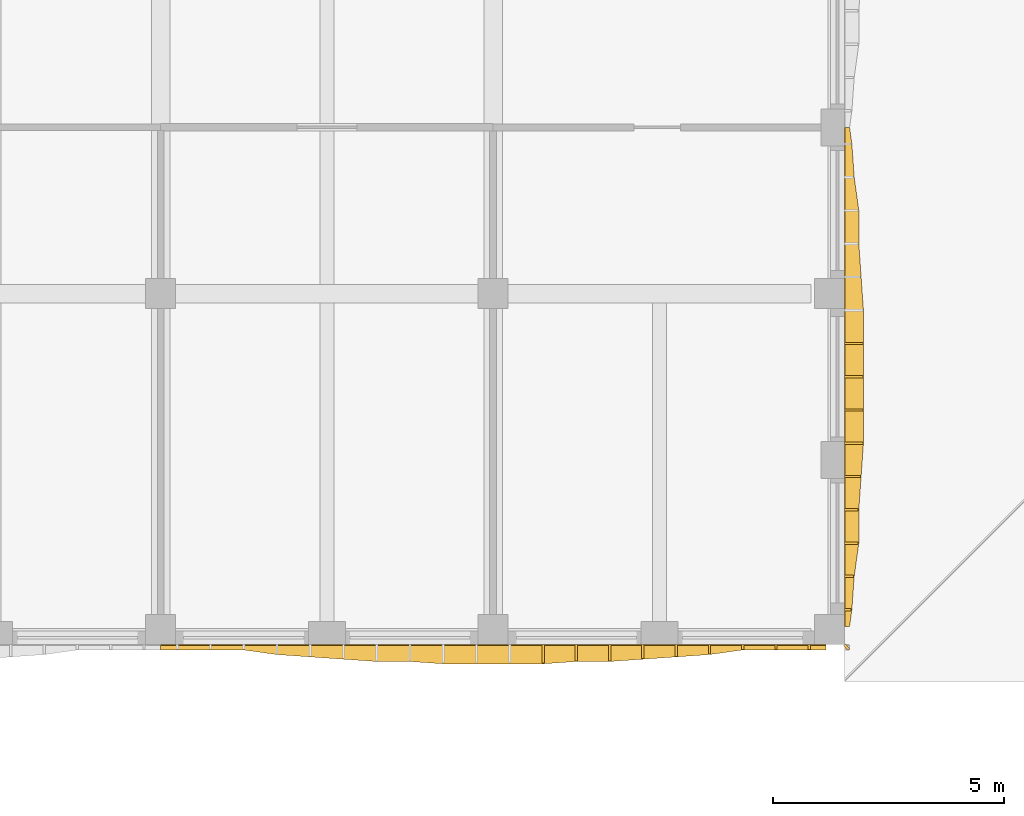
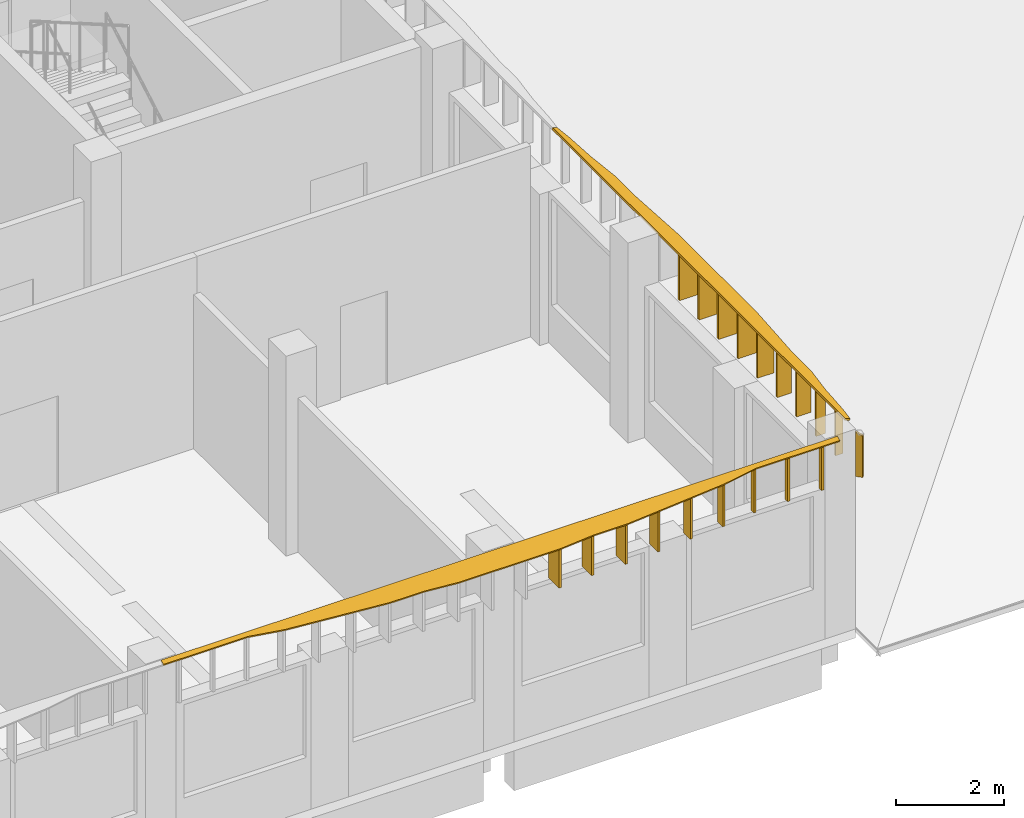
# One storey, part 46 of 54: 21 shading devices.
"""IFC4 building model written with IfcOpenShell, lengths in metres."""

from ifc_helpers import new_model, si_unit, direction, frame, origin, place, context, subcontext, project, spatial, polyline, outline, extrude, material, layer, layer_set, type_object, element, save


model = new_model("IFC4")

# Units and contexts
model_context = context("Model", 3, precision=1e-05, world=origin(), true_north=direction((0.0, 1.0)))
body_context = subcontext(model_context, "Body", "Model", "MODEL_VIEW")
ifc_project = project(units=[si_unit("LENGTHUNIT", "METRE"), si_unit("AREAUNIT", "SQUARE_METRE"), si_unit("VOLUMEUNIT", "CUBIC_METRE"), si_unit("PLANEANGLEUNIT", "RADIAN"), si_unit("MASSUNIT", "GRAM", prefix="KILO")], contexts=[model_context])

# Site, building, storey
site_placement = place(None, origin())
site = spatial("IfcSite", under=ifc_project, at=site_placement, CompositionType="ELEMENT")
building_placement = place(site_placement, origin())
building = spatial("IfcBuilding", under=site, at=building_placement, Name="Ussher Court Research Institute", CompositionType="ELEMENT")
storey_placement = place(building_placement, frame((0.0, 0.0, 14.39990234375)))
storey = spatial("IfcBuildingStorey", under=building, at=storey_placement, Name="L03", CompositionType="ELEMENT", Elevation=14.39990234375)

# Shading devices
ifc_material_1 = material(Name="Bronze anodised aluminium", Category="aluminium")
ifc_layer_1 = layer(ifc_material_1, 0.050048828125)
ifc_layer_set_1 = layer_set([ifc_layer_1], Name="Bronze anodised aluminium")
shading_device_type_1 = type_object("IfcShadingDeviceType", Name="Brim blade 100 mm deep 1000 mm high canted 20 deg dry", PredefinedType="USERDEFINED", material=ifc_layer_set_1)
for number, where, z_axis, x_axis, name in (
    (1, (81.840087890625, 68.39990234375, 3.4501953125), (0.0, 0.0, 1.0), (0.0, -1.0, 0.0), "Brim blade BS17 L03"),
    (2, (81.1201171875, 68.39990234375, 3.4501953125), (0.0, 0.0, 1.0), (0.0, -1.0, 0.0), "Brim blade BS17 L03"),
    (3, (80.39990234375, 68.39990234375, 3.4501953125), (0.0, 0.0, 1.0), (0.0, -1.0, 0.0), "Brim blade BS17 L03"),
):
    element("IfcShadingDevice", number, at=place(storey_placement, frame(where, z_axis=z_axis, x_axis=x_axis)), inside=storey, type_object=shading_device_type_1, Name=name, ObjectType="BLADE", PredefinedType="USERDEFINED", context=body_context, shape_type="SweptSolid", body=[
        extrude(outline(polyline([(0.0, 0.0), (0.099853515625, 0.0), (0.10009765625, 0.963623046875), (0.0, 1.0), (0.0, 0.0)])), frame((0.0, 0.02490234375, 0.0), z_axis=(0.0, -1.0, 0.0), x_axis=(1.0, 0.0, 0.0)), (0.0, 0.0, 1.0), 0.050048828125),
    ])
ifc_material_2 = material(Name="Bronze anodised aluminium", Category="aluminium")
ifc_layer_2 = layer(ifc_material_2, 0.050048828125)
ifc_layer_set_2 = layer_set([ifc_layer_2], Name="Bronze anodised aluminium")
shading_device_type_2 = type_object("IfcShadingDeviceType", Name="Brim blade 150 mm deep 1000 mm high canted 20 deg dry", PredefinedType="USERDEFINED", material=ifc_layer_set_2)
shading_device_1_placement = place(storey_placement, frame((82.60009765625, 69.159912109375, 3.4501953125), z_axis=(0.0, 0.0, 1.0), x_axis=(1.0, 0.0, 0.0)))
element("IfcShadingDevice", 4, at=shading_device_1_placement, inside=storey, type_object=shading_device_type_2, Name="Brim blade BS16 L03", ObjectType="BLADE", PredefinedType="USERDEFINED", context=body_context, shape_type="SweptSolid", body=[
    extrude(outline(polyline([(0.0, 0.0), (0.14990234375, 0.0), (0.14990234375, 0.9453125), (0.0, 1.0), (0.0, 0.0)])), frame((0.0, 0.02490234375, 0.0), z_axis=(0.0, -1.0, 0.0), x_axis=(1.0, 0.0, 0.0)), (0.0, 0.0, 1.0), 0.050048828125),
])
ifc_material_3 = material(Name="Bronze anodised aluminium", Category="aluminium")
ifc_layer_3 = layer(ifc_material_3, 0.050048828125)
ifc_layer_set_3 = layer_set([ifc_layer_3], Name="Bronze anodised aluminium")
shading_device_type_3 = type_object("IfcShadingDeviceType", Name="Brim blade 200 mm deep 1000 mm high canted 20 deg dry", PredefinedType="USERDEFINED", material=ifc_layer_set_3)
for number, where, z_axis, x_axis, name in (
    (5, (82.60009765625, 69.8798828125, 3.4501953125), (0.0, 0.0, 1.0), (1.0, 0.0, 0.0), "Brim blade BS15 L03"),
    (6, (79.679931640625, 68.39990234375, 3.4501953125), (0.0, 0.0, 1.0), (0.0, -1.0, 0.0), "Brim blade BS15 L03"),
):
    element("IfcShadingDevice", number, at=place(storey_placement, frame(where, z_axis=z_axis, x_axis=x_axis)), inside=storey, type_object=shading_device_type_3, Name=name, ObjectType="BLADE", PredefinedType="USERDEFINED", context=body_context, shape_type="SweptSolid", body=[
        extrude(outline(polyline([(0.0, 0.0), (0.199951171875, 0.0), (0.199951171875, 0.927001953125), (0.0, 1.0), (0.0, 0.0)])), frame((0.0, 0.02490234375, 0.0), z_axis=(0.0, -1.0, 0.0), x_axis=(1.0, 0.0, 0.0)), (0.0, 0.0, 1.0), 0.050048828125),
    ])
ifc_material_4 = material(Name="Bronze anodised aluminium", Category="aluminium")
ifc_layer_4 = layer(ifc_material_4, 0.050048828125)
ifc_layer_set_4 = layer_set([ifc_layer_4], Name="Bronze anodised aluminium")
shading_device_type_4 = type_object("IfcShadingDeviceType", Name="Brim blade 250 mm deep 1000 mm high canted 20 deg dry", PredefinedType="USERDEFINED", material=ifc_layer_set_4)
shading_device_2_placement = place(storey_placement, frame((78.9599609375, 68.39990234375, 3.4501953125), z_axis=(0.0, 0.0, 1.0), x_axis=(0.0, -1.0, 0.0)))
element("IfcShadingDevice", 7, at=shading_device_2_placement, inside=storey, type_object=shading_device_type_4, Name="Brim blade BS14 L03", ObjectType="BLADE", PredefinedType="USERDEFINED", context=body_context, shape_type="SweptSolid", body=[
    extrude(outline(polyline([(0.0, 0.0), (0.25, 0.0), (0.25, 0.908935546875), (0.0, 1.0), (0.0, 0.0)])), frame((0.0, 0.02490234375, 0.0), z_axis=(0.0, -1.0, 0.0), x_axis=(1.0, 0.0, 0.0)), (0.0, 0.0, 1.0), 0.050048828125),
])
ifc_material_5 = material(Name="Bronze anodised aluminium", Category="aluminium")
ifc_layer_5 = layer(ifc_material_5, 0.050048828125)
ifc_layer_set_5 = layer_set([ifc_layer_5], Name="Bronze anodised aluminium")
shading_device_type_5 = type_object("IfcShadingDeviceType", Name="Brim blade 300 mm deep 1000 mm high canted 20 deg dry", PredefinedType="USERDEFINED", material=ifc_layer_set_5)
for number, where, z_axis, x_axis, name in (
    (8, (82.60009765625, 71.320068359375, 3.4501953125), (0.0, 0.0, 1.0), (1.0, 0.0, 0.0), "Brim blade BS13 L03"),
    (9, (82.60009765625, 70.60009765625, 3.4501953125), (0.0, 0.0, 1.0), (1.0, 0.0, 0.0), "Brim blade BS13 L03"),
    (10, (78.239990234375, 68.39990234375, 3.4501953125), (0.0, 0.0, 1.0), (0.0, -1.0, 0.0), "Brim blade BS13 L03"),
):
    element("IfcShadingDevice", number, at=place(storey_placement, frame(where, z_axis=z_axis, x_axis=x_axis)), inside=storey, type_object=shading_device_type_5, Name=name, ObjectType="BLADE", PredefinedType="USERDEFINED", context=body_context, shape_type="SweptSolid", body=[
        extrude(outline(polyline([(0.0, 0.0), (0.2998046875, 0.0), (0.300048828125, 0.890625), (0.0, 1.0), (0.0, 0.0)])), frame((0.0, 0.02490234375, 0.0), z_axis=(0.0, -1.0, 0.0), x_axis=(1.0, 0.0, 0.0)), (0.0, 0.0, 1.0), 0.050048828125),
    ])
ifc_material_6 = material(Name="Bronze anodised aluminium", Category="aluminium")
ifc_layer_6 = layer(ifc_material_6, 0.050048828125)
ifc_layer_set_6 = layer_set([ifc_layer_6], Name="Bronze anodised aluminium")
shading_device_type_6 = type_object("IfcShadingDeviceType", Name="Brim blade 350 mm deep 1000 mm high canted 20 deg dry", PredefinedType="USERDEFINED", material=ifc_layer_set_6)
for number, where, z_axis, x_axis, name in (
    (11, (82.60009765625, 72.0400390625, 3.4501953125), (0.0, 0.0, 1.0), (1.0, 0.0, 0.0), "Brim blade BS12 L03"),
    (12, (77.52001953125, 68.39990234375, 3.4501953125), (0.0, 0.0, 1.0), (0.0, -1.0, 0.0), "Brim blade BS12 L03"),
    (13, (76.800048828125, 68.39990234375, 3.4501953125), (0.0, 0.0, 1.0), (0.0, -1.0, 0.0), "Brim blade BS12 L03"),
):
    element("IfcShadingDevice", number, at=place(storey_placement, frame(where, z_axis=z_axis, x_axis=x_axis)), inside=storey, type_object=shading_device_type_6, Name=name, ObjectType="BLADE", PredefinedType="USERDEFINED", context=body_context, shape_type="SweptSolid", body=[
        extrude(outline(polyline([(0.0, 0.0), (0.349853515625, 0.0), (0.35009765625, 0.87255859375), (0.0, 1.0), (0.0, 0.0)])), frame((0.0, 0.02490234375, 0.0), z_axis=(0.0, -1.0, 0.0), x_axis=(1.0, 0.0, 0.0)), (0.0, 0.0, 1.0), 0.050048828125),
    ])
ifc_material_7 = material(Name="Bronze anodised aluminium", Category="aluminium")
ifc_layer_7 = layer(ifc_material_7, 0.050048828125)
ifc_layer_set_7 = layer_set([ifc_layer_7], Name="Bronze anodised aluminium")
shading_device_type_7 = type_object("IfcShadingDeviceType", Name="Brim blade 400 mm deep 1000 mm high canted 20 deg dry", PredefinedType="USERDEFINED", material=ifc_layer_set_7)
for number, where, z_axis, x_axis, name in (
    (14, (82.60009765625, 74.919921875, 3.4501953125), (0.0, 0.0, 1.0), (1.0, 0.0, 0.0), "Brim blade BS11 L03"),
    (15, (82.60009765625, 74.199951171875, 3.4501953125), (0.0, 0.0, 1.0), (1.0, 0.0, 0.0), "Brim blade BS11 L03"),
    (16, (82.60009765625, 73.47998046875, 3.4501953125), (0.0, 0.0, 1.0), (1.0, 0.0, 0.0), "Brim blade BS11 L03"),
    (17, (82.60009765625, 72.760009765625, 3.4501953125), (0.0, 0.0, 1.0), (1.0, 0.0, 0.0), "Brim blade BS11 L03"),
    (18, (76.080078125, 68.39990234375, 3.4501953125), (0.0, 0.0, 1.0), (0.0, -1.0, 0.0), "Brim blade BS11 L03"),
):
    element("IfcShadingDevice", number, at=place(storey_placement, frame(where, z_axis=z_axis, x_axis=x_axis)), inside=storey, type_object=shading_device_type_7, Name=name, ObjectType="BLADE", PredefinedType="USERDEFINED", context=body_context, shape_type="SweptSolid", body=[
        extrude(outline(polyline([(0.0, 0.0), (0.39990234375, 0.0), (0.39990234375, 0.854248046875), (0.0, 1.0), (0.0, 0.0)])), frame((0.0, 0.02490234375, 0.0), z_axis=(0.0, -1.0, 0.0), x_axis=(1.0, 0.0, 0.0)), (0.0, 0.0, 1.0), 0.050048828125),
    ])
ifc_material_8 = material(Name="Bronze anodised aluminium", Category="aluminium")
ifc_layer_8 = layer(ifc_material_8, 0.050048828125)
ifc_layer_set_8 = layer_set([ifc_layer_8], Name="Bronze anodised aluminium")
shading_device_type_8 = type_object("IfcShadingDeviceType", Name="Brim mitre blade 100 mm deep 1000 mm high canted 20 deg dry", PredefinedType="USERDEFINED", material=ifc_layer_set_8)
shading_device_3_placement = place(storey_placement, frame((82.60009765625, 68.39990234375, 3.4501953125), z_axis=(0.0, 0.0, 1.0), x_axis=(0.707106781187, -0.707106781187, 0.0)))
element("IfcShadingDevice", 19, at=shading_device_3_placement, inside=storey, type_object=shading_device_type_8, Name="Brim mitre blade BS19 L03", ObjectType="BLADE", PredefinedType="USERDEFINED", context=body_context, shape_type="SweptSolid", body=[
    extrude(outline(polyline([(0.0, 0.0), (0.14111328125, 0.0), (0.141357421875, 0.927001953125), (0.0, 1.0), (0.0, 0.0)])), frame((0.0, 0.02490234375, 0.0), z_axis=(0.0, -1.0, 0.0), x_axis=(1.0, 0.0, 0.0)), (0.0, 0.0, 1.0), 0.050048828125),
])
ifc_material_9 = material(Name="Bronze anodised aluminium", Category="aluminium")
ifc_layer_9 = layer(ifc_material_9, 0.0400390625)
ifc_layer_set_9 = layer_set([ifc_layer_9], Name="Bronze anodised aluminium")
shading_device_type_9 = type_object("IfcShadingDeviceType", Name="Brim visor sheet 40 mm canted 20 deg dry", PredefinedType="USERDEFINED", material=ifc_layer_set_9)
shading_device_4_placement = place(storey_placement, frame((82.61376953125, 79.60009765625, 4.48779296875), z_axis=(0.34247777449, 0.0, 0.939525930446), x_axis=(0.0, -1.0, 0.0)))
element("IfcShadingDevice", 20, at=shading_device_4_placement, inside=storey, type_object=shading_device_type_9, Name="Brim visor sheet BR2 L03", ObjectType="BRIM", PredefinedType="USERDEFINED", context=body_context, shape_type="SweptSolid", body=[
    extrude(outline(polyline([(0.0, 0.0), (10.800048828125, 0.0), (10.800048828125, 0.10627326512485698), (10.440185546875, 0.15956639228017316), (9.72021484375, 0.21285951943548934), (9.0, 0.31936216100820913), (8.280029296875, 0.31936216100820913), (7.56005859375, 0.37234229897774984), (6.840087890625, 0.42563542613306604), (6.1201171875, 0.42563542613306604), (5.400146484375, 0.42563542613306604), (4.68017578125, 0.42563542613306604), (3.960205078125, 0.42563542613306604), (3.239990234375, 0.37234229897774984), (2.52001953125, 0.31936216100820913), (1.800048828125, 0.31936216100820913), (1.080078125, 0.21285951943548934), (0.360107421875, 0.15956639228017316), (0.0, 0.10627326512485698), (0.0, 0.0)])), origin(), (0.0, 0.0, -1.0), 0.0400390625),
])
shading_device_5_placement = place(storey_placement, frame((82.199951171875, 68.38623046875, 4.48779296875), z_axis=(0.0, -0.342400475787, 0.939554103913), x_axis=(-1.0, 0.0, 0.0)))
element("IfcShadingDevice", 21, at=shading_device_5_placement, inside=storey, type_object=shading_device_type_9, Name="Brim visor sheet BR2 L03", ObjectType="BRIM", PredefinedType="USERDEFINED", context=body_context, shape_type="SweptSolid", body=[
    extrude(outline(polyline([(0.0, 0.0), (14.39990234375, 0.0), (14.39990234375, 0.10627326645334817), (14.0400390625, 0.10627326645334817), (13.320068359375, 0.10627326645334817), (12.599853515625, 0.10627326645334817), (11.8798828125, 0.21285951009900608), (11.159912109375, 0.26606903805567605), (10.43994140625, 0.319362159878505), (9.719970703125, 0.3723423045090242), (9.0, 0.3723423045090242), (8.280029296875, 0.4256354263318532), (7.56005859375, 0.4256354263318532), (6.83984375, 0.4256354263318532), (6.119873046875, 0.4256354263318532), (5.39990234375, 0.3723423045090242), (4.679931640625, 0.3723423045090242), (3.9599609375, 0.319362159878505), (3.239990234375, 0.26606903805567605), (2.52001953125, 0.21285951009900608), (1.800048828125, 0.10627326645334817), (1.079833984375, 0.10627326645334817), (0.35986328125, 0.10627326645334817), (0.0, 0.10627326645334817), (0.0, 0.0)])), origin(), (0.0, 0.0, -1.0), 0.0400390625),
])

save(model, "model.ifc")
